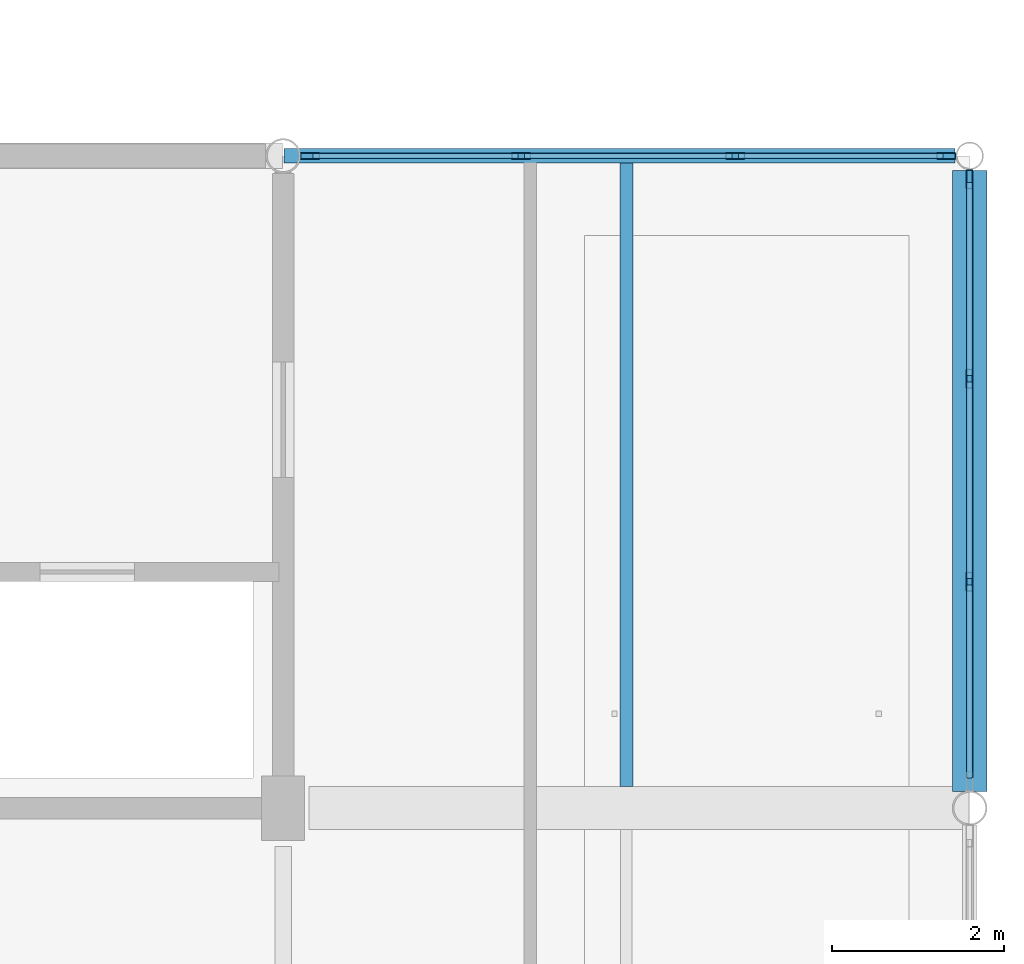
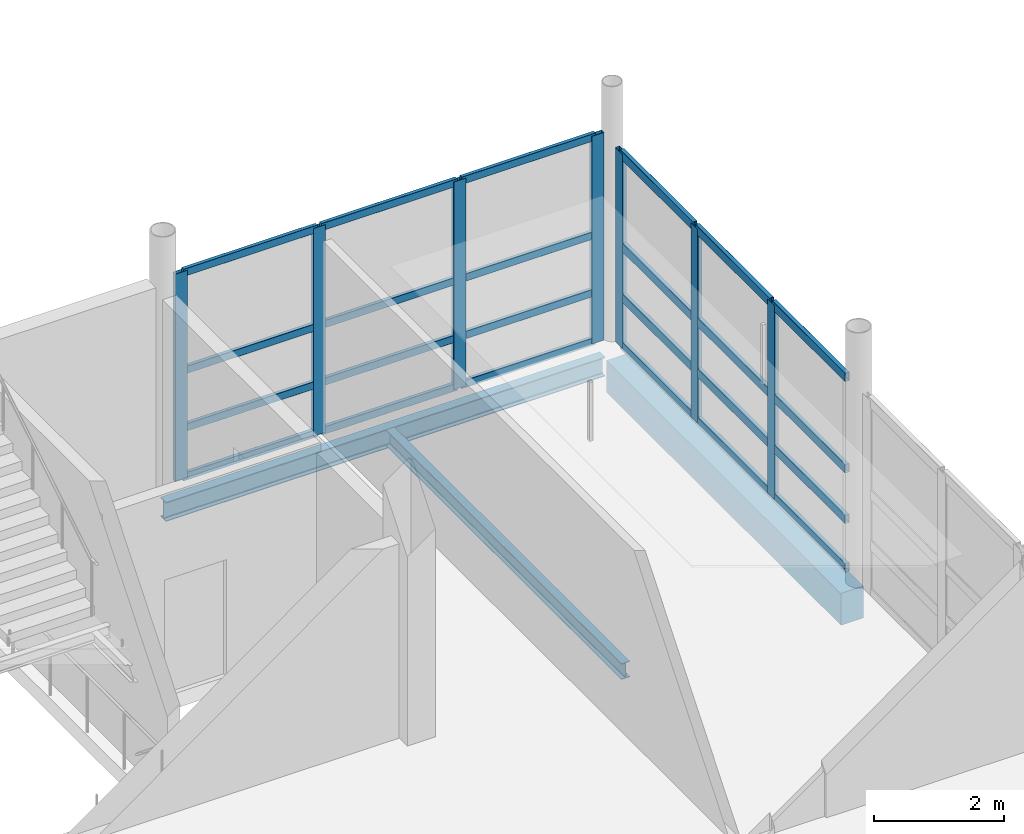
# One storey, part 58 of 141: 31 members, 3 beams, 2 elements without a shape of their own.
"""IFC4 building model written with IfcOpenShell, lengths in metres."""

from ifc_helpers import new_model, si_unit, direction, frame, origin, origin_2d, place, context, subcontext, project, spatial, rectangle, hollow_rectangle, i_section, extrude, material, material_profile, profile_set, type_object, element, aggregate, save


model = new_model("IFC4")

# Units and contexts
model_context = context("Model", 3, precision=1e-05, world=origin(), true_north=direction((0.0, 1.0)))
body_context = subcontext(model_context, "Body", "Model", "MODEL_VIEW")
ifc_project = project(units=[si_unit("LENGTHUNIT", "METRE"), si_unit("AREAUNIT", "SQUARE_METRE"), si_unit("VOLUMEUNIT", "CUBIC_METRE"), si_unit("PLANEANGLEUNIT", "RADIAN"), si_unit("MASSUNIT", "GRAM", prefix="KILO")], contexts=[model_context])

# Site, building, storey
site_placement = place(None, origin())
site = spatial("IfcSite", under=ifc_project, at=site_placement, CompositionType="ELEMENT")
building_placement = place(site_placement, origin())
building = spatial("IfcBuilding", under=site, at=building_placement, Name="Khelvaren Railside Concert Hall", CompositionType="ELEMENT")
storey_placement = place(building_placement, frame((0.0, 0.0, 10.199951171875)))
storey = spatial("IfcBuildingStorey", under=building, at=storey_placement, Name="L02", CompositionType="ELEMENT", Elevation=10.199951171875)

# Curtain wall, members
ifc_material_1 = material(Name="Double-glazed clear foyer glass", Category="glass")
curtain_wall_type_1 = type_object("IfcCurtainWallType", Name="CW70", PredefinedType="USERDEFINED", material=ifc_material_1)
curtain_wall_1_placement = place(storey_placement, origin())
curtain_wall_1 = element("IfcCurtainWall", 1, at=curtain_wall_1_placement, inside=storey, type_object=curtain_wall_type_1, Name="Unitised Curtain Wall CW-V2-L02-N-176", ObjectType="UNITISED CURTAIN WALL", PredefinedType="USERDEFINED")
ifc_material_2 = material(Name="Anodised architectural aluminium 6063-T6", Category="aluminium")
ifc_material_profile_1 = material_profile(ifc_material_2, hollow_rectangle(XDim=0.074951171875, YDim=0.219970703125, WallThickness=0.0048828125, InnerFilletRadius=0.0029296875, OuterFilletRadius=0.0048828125, at=origin_2d()), Name="CWM 75x220x5")
ifc_profile_set_1 = profile_set([ifc_material_profile_1], Name="Anodised architectural aluminium 6063-T6")
member_type_1 = type_object("IfcMemberType", Name="CWM13", PredefinedType="MULLION", material=ifc_profile_set_1)
member_1_placement = place(storey_placement, frame((176.313232421875, 38.0, 0.0), z_axis=(0.0, 0.0, 1.0), x_axis=(0.0, 1.0, 0.0)))
member_1 = element("IfcMember", 2, at=member_1_placement, type_object=member_type_1, Name="CW70 mullion 1", PredefinedType="MULLION", context=body_context, shape_type="SweptSolid", body=[
    extrude(hollow_rectangle(XDim=0.074951171875, YDim=0.219970703125, WallThickness=0.0048828125, InnerFilletRadius=0.0029296875, OuterFilletRadius=0.0048828125, at=origin_2d()), origin(), (0.0, 0.0, 1.0), 3.91015625),
])
member_2_placement = place(storey_placement, frame((178.772216796875, 38.0, 0.0), z_axis=(0.0, 0.0, 1.0), x_axis=(0.0, 1.0, 0.0)))
member_2 = element("IfcMember", 3, at=member_2_placement, type_object=member_type_1, Name="CW70 mullion 2", PredefinedType="MULLION", context=body_context, shape_type="SweptSolid", body=[
    extrude(hollow_rectangle(XDim=0.074951171875, YDim=0.219970703125, WallThickness=0.0048828125, InnerFilletRadius=0.0029296875, OuterFilletRadius=0.0048828125, at=origin_2d()), origin(), (0.0, 0.0, 1.0), 3.91015625),
])
member_3_placement = place(storey_placement, frame((181.268798828125, 38.0, 0.0), z_axis=(0.0, 0.0, 1.0), x_axis=(0.0, 1.0, 0.0)))
member_3 = element("IfcMember", 4, at=member_3_placement, type_object=member_type_1, Name="CW70 mullion 3", PredefinedType="MULLION", context=body_context, shape_type="SweptSolid", body=[
    extrude(hollow_rectangle(XDim=0.074951171875, YDim=0.219970703125, WallThickness=0.0048828125, InnerFilletRadius=0.0029296875, OuterFilletRadius=0.0048828125, at=origin_2d()), origin(), (0.0, 0.0, 1.0), 3.91015625),
])
member_4_placement = place(storey_placement, frame((183.72802734375, 38.0, 0.0), z_axis=(0.0, 0.0, 1.0), x_axis=(0.0, 1.0, 0.0)))
member_4 = element("IfcMember", 5, at=member_4_placement, type_object=member_type_1, Name="CW70 mullion 4", PredefinedType="MULLION", context=body_context, shape_type="SweptSolid", body=[
    extrude(hollow_rectangle(XDim=0.074951171875, YDim=0.219970703125, WallThickness=0.0048828125, InnerFilletRadius=0.0029296875, OuterFilletRadius=0.0048828125, at=origin_2d()), origin(), (0.0, 0.0, 1.0), 3.91015625),
])

ifc_material_3 = material(Name="Triple-glazed solar-control glass", Category="glass")
curtain_wall_type_2 = type_object("IfcCurtainWallType", Name="CW88", PredefinedType="USERDEFINED", material=ifc_material_3)
curtain_wall_2_placement = place(storey_placement, origin())
curtain_wall_2 = element("IfcCurtainWall", 6, at=curtain_wall_2_placement, inside=storey, type_object=curtain_wall_type_2, Name="Unitised Curtain Wall CW-V2-L02-E-30", ObjectType="UNITISED CURTAIN WALL", PredefinedType="USERDEFINED")
member_5_placement = place(storey_placement, frame((184.0, 37.72802734375, 0.0), z_axis=(0.0, 0.0, 1.0), x_axis=(1.0, 0.0, 0.0)))
member_5 = element("IfcMember", 7, at=member_5_placement, type_object=member_type_1, Name="CW88 mullion 1", PredefinedType="MULLION", context=body_context, shape_type="SweptSolid", body=[
    extrude(hollow_rectangle(XDim=0.074951171875, YDim=0.219970703125, WallThickness=0.0048828125, InnerFilletRadius=0.0029296875, OuterFilletRadius=0.0048828125, at=origin_2d()), origin(), (0.0, 0.0, 1.0), 3.66015625),
])
member_6_placement = place(storey_placement, frame((184.0, 35.40234375, 0.0), z_axis=(0.0, 0.0, 1.0), x_axis=(1.0, 0.0, 0.0)))
member_6 = element("IfcMember", 8, at=member_6_placement, type_object=member_type_1, Name="CW88 mullion 2", PredefinedType="MULLION", context=body_context, shape_type="SweptSolid", body=[
    extrude(hollow_rectangle(XDim=0.074951171875, YDim=0.219970703125, WallThickness=0.0048828125, InnerFilletRadius=0.0029296875, OuterFilletRadius=0.0048828125, at=origin_2d()), origin(), (0.0, 0.0, 1.0), 3.66015625),
])
member_7_placement = place(storey_placement, frame((184.0, 33.0390625, 0.0), z_axis=(0.0, 0.0, 1.0), x_axis=(1.0, 0.0, 0.0)))
member_7 = element("IfcMember", 9, at=member_7_placement, type_object=member_type_1, Name="CW88 mullion 3", PredefinedType="MULLION", context=body_context, shape_type="SweptSolid", body=[
    extrude(hollow_rectangle(XDim=0.074951171875, YDim=0.219970703125, WallThickness=0.0048828125, InnerFilletRadius=0.0029296875, OuterFilletRadius=0.0048828125, at=origin_2d()), origin(), (0.0, 0.0, 1.0), 3.66015625),
])
ifc_material_profile_2 = material_profile(ifc_material_2, hollow_rectangle(XDim=0.074951171875, YDim=0.1650390625, WallThickness=0.00390625, InnerFilletRadius=0.001953125, OuterFilletRadius=0.00390625, at=origin_2d()), Name="CWT 75x165x4")
ifc_profile_set_2 = profile_set([ifc_material_profile_2], Name="Anodised architectural aluminium 6063-T6")
member_type_2 = type_object("IfcMemberType", Name="CWT46", PredefinedType="USERDEFINED", material=ifc_profile_set_2)
member_8_placement = place(storey_placement, frame((184.0, 37.6904296875, 0.03759765625), z_axis=(0.0, -1.0, 0.0), x_axis=(1.0, 0.0, 0.0)))
member_8 = element("IfcMember", 10, at=member_8_placement, type_object=member_type_2, Name="CW88 transom 1.1", ObjectType="TRANSOM", PredefinedType="USERDEFINED", context=body_context, shape_type="SweptSolid", body=[
    extrude(hollow_rectangle(XDim=0.074951171875, YDim=0.1650390625, WallThickness=0.00390625, InnerFilletRadius=0.001953125, OuterFilletRadius=0.00390625, at=origin_2d()), origin(), (0.0, 0.0, 1.0), 2.250732421875),
])
member_9_placement = place(storey_placement, frame((184.0, 37.6904296875, 0.949951171875), z_axis=(0.0, -1.0, 0.0), x_axis=(1.0, 0.0, 0.0)))
member_9 = element("IfcMember", 11, at=member_9_placement, type_object=member_type_2, Name="CW88 transom 1.2", ObjectType="TRANSOM", PredefinedType="USERDEFINED", context=body_context, shape_type="SweptSolid", body=[
    extrude(hollow_rectangle(XDim=0.074951171875, YDim=0.1650390625, WallThickness=0.00390625, InnerFilletRadius=0.001953125, OuterFilletRadius=0.00390625, at=origin_2d()), origin(), (0.0, 0.0, 1.0), 2.250732421875),
])
member_10_placement = place(storey_placement, frame((184.0, 37.6904296875, 1.9033203125), z_axis=(0.0, -1.0, 0.0), x_axis=(1.0, 0.0, 0.0)))
member_10 = element("IfcMember", 12, at=member_10_placement, type_object=member_type_2, Name="CW88 transom 1.3", ObjectType="TRANSOM", PredefinedType="USERDEFINED", context=body_context, shape_type="SweptSolid", body=[
    extrude(hollow_rectangle(XDim=0.074951171875, YDim=0.1650390625, WallThickness=0.00390625, InnerFilletRadius=0.001953125, OuterFilletRadius=0.00390625, at=origin_2d()), origin(), (0.0, 0.0, 1.0), 2.250732421875),
])
member_11_placement = place(storey_placement, frame((184.0, 37.6904296875, 3.62255859375), z_axis=(0.0, -1.0, 0.0), x_axis=(1.0, 0.0, 0.0)))
member_11 = element("IfcMember", 13, at=member_11_placement, type_object=member_type_2, Name="CW88 transom 1.4", ObjectType="TRANSOM", PredefinedType="USERDEFINED", context=body_context, shape_type="SweptSolid", body=[
    extrude(hollow_rectangle(XDim=0.074951171875, YDim=0.1650390625, WallThickness=0.00390625, InnerFilletRadius=0.001953125, OuterFilletRadius=0.00390625, at=origin_2d()), origin(), (0.0, 0.0, 1.0), 2.250732421875),
])
member_12_placement = place(storey_placement, frame((184.0, 35.36474609375, 0.03759765625), z_axis=(0.0, -1.0, 0.0), x_axis=(1.0, 0.0, 0.0)))
member_12 = element("IfcMember", 14, at=member_12_placement, type_object=member_type_2, Name="CW88 transom 2.1", ObjectType="TRANSOM", PredefinedType="USERDEFINED", context=body_context, shape_type="SweptSolid", body=[
    extrude(hollow_rectangle(XDim=0.074951171875, YDim=0.1650390625, WallThickness=0.00390625, InnerFilletRadius=0.001953125, OuterFilletRadius=0.00390625, at=origin_2d()), origin(), (0.0, 0.0, 1.0), 2.288330078125),
])
member_13_placement = place(storey_placement, frame((184.0, 35.36474609375, 0.949951171875), z_axis=(0.0, -1.0, 0.0), x_axis=(1.0, 0.0, 0.0)))
member_13 = element("IfcMember", 15, at=member_13_placement, type_object=member_type_2, Name="CW88 transom 2.2", ObjectType="TRANSOM", PredefinedType="USERDEFINED", context=body_context, shape_type="SweptSolid", body=[
    extrude(hollow_rectangle(XDim=0.074951171875, YDim=0.1650390625, WallThickness=0.00390625, InnerFilletRadius=0.001953125, OuterFilletRadius=0.00390625, at=origin_2d()), origin(), (0.0, 0.0, 1.0), 2.288330078125),
])
member_14_placement = place(storey_placement, frame((184.0, 35.36474609375, 1.9033203125), z_axis=(0.0, -1.0, 0.0), x_axis=(1.0, 0.0, 0.0)))
member_14 = element("IfcMember", 16, at=member_14_placement, type_object=member_type_2, Name="CW88 transom 2.3", ObjectType="TRANSOM", PredefinedType="USERDEFINED", context=body_context, shape_type="SweptSolid", body=[
    extrude(hollow_rectangle(XDim=0.074951171875, YDim=0.1650390625, WallThickness=0.00390625, InnerFilletRadius=0.001953125, OuterFilletRadius=0.00390625, at=origin_2d()), origin(), (0.0, 0.0, 1.0), 2.288330078125),
])
member_15_placement = place(storey_placement, frame((184.0, 35.36474609375, 3.62255859375), z_axis=(0.0, -1.0, 0.0), x_axis=(1.0, 0.0, 0.0)))
member_15 = element("IfcMember", 17, at=member_15_placement, type_object=member_type_2, Name="CW88 transom 2.4", ObjectType="TRANSOM", PredefinedType="USERDEFINED", context=body_context, shape_type="SweptSolid", body=[
    extrude(hollow_rectangle(XDim=0.074951171875, YDim=0.1650390625, WallThickness=0.00390625, InnerFilletRadius=0.001953125, OuterFilletRadius=0.00390625, at=origin_2d()), origin(), (0.0, 0.0, 1.0), 2.288330078125),
])
member_16_placement = place(storey_placement, frame((184.0, 33.00146484375, 0.03759765625), z_axis=(0.0, -1.0, 0.0), x_axis=(1.0, 0.0, 0.0)))
member_16 = element("IfcMember", 18, at=member_16_placement, type_object=member_type_2, Name="CW88 transom 3.1", ObjectType="TRANSOM", PredefinedType="USERDEFINED", context=body_context, shape_type="SweptSolid", body=[
    extrude(hollow_rectangle(XDim=0.074951171875, YDim=0.1650390625, WallThickness=0.00390625, InnerFilletRadius=0.001953125, OuterFilletRadius=0.00390625, at=origin_2d()), origin(), (0.0, 0.0, 1.0), 2.250732421875),
])
member_17_placement = place(storey_placement, frame((184.0, 33.00146484375, 0.949951171875), z_axis=(0.0, -1.0, 0.0), x_axis=(1.0, 0.0, 0.0)))
member_17 = element("IfcMember", 19, at=member_17_placement, type_object=member_type_2, Name="CW88 transom 3.2", ObjectType="TRANSOM", PredefinedType="USERDEFINED", context=body_context, shape_type="SweptSolid", body=[
    extrude(hollow_rectangle(XDim=0.074951171875, YDim=0.1650390625, WallThickness=0.00390625, InnerFilletRadius=0.001953125, OuterFilletRadius=0.00390625, at=origin_2d()), origin(), (0.0, 0.0, 1.0), 2.250732421875),
])
member_18_placement = place(storey_placement, frame((184.0, 33.00146484375, 1.9033203125), z_axis=(0.0, -1.0, 0.0), x_axis=(1.0, 0.0, 0.0)))
member_18 = element("IfcMember", 20, at=member_18_placement, type_object=member_type_2, Name="CW88 transom 3.3", ObjectType="TRANSOM", PredefinedType="USERDEFINED", context=body_context, shape_type="SweptSolid", body=[
    extrude(hollow_rectangle(XDim=0.074951171875, YDim=0.1650390625, WallThickness=0.00390625, InnerFilletRadius=0.001953125, OuterFilletRadius=0.00390625, at=origin_2d()), origin(), (0.0, 0.0, 1.0), 2.250732421875),
])
member_19_placement = place(storey_placement, frame((184.0, 33.00146484375, 3.62255859375), z_axis=(0.0, -1.0, 0.0), x_axis=(1.0, 0.0, 0.0)))
member_19 = element("IfcMember", 21, at=member_19_placement, type_object=member_type_2, Name="CW88 transom 3.4", ObjectType="TRANSOM", PredefinedType="USERDEFINED", context=body_context, shape_type="SweptSolid", body=[
    extrude(hollow_rectangle(XDim=0.074951171875, YDim=0.1650390625, WallThickness=0.00390625, InnerFilletRadius=0.001953125, OuterFilletRadius=0.00390625, at=origin_2d()), origin(), (0.0, 0.0, 1.0), 2.250732421875),
])
aggregate(curtain_wall_2, [member_5, member_6, member_7, member_8, member_9, member_10, member_11, member_12, member_13, member_14, member_15, member_16, member_17, member_18, member_19])

# Member
ifc_material_profile_3 = material_profile(ifc_material_2, hollow_rectangle(XDim=0.06494140625, YDim=0.139892578125, WallThickness=0.00390625, InnerFilletRadius=0.001953125, OuterFilletRadius=0.00390625, at=origin_2d()), Name="CWT 65x140x4")
ifc_profile_set_3 = profile_set([ifc_material_profile_3], Name="Anodised architectural aluminium 6063-T6")
member_type_3 = type_object("IfcMemberType", Name="CWT72", PredefinedType="USERDEFINED", material=ifc_profile_set_3)
member_20_placement = place(storey_placement, frame((176.3505859375, 38.0, 0.032470703125), z_axis=(1.0, 0.0, 0.0), x_axis=(0.0, 1.0, 0.0)))
member_20 = element("IfcMember", 22, at=member_20_placement, type_object=member_type_3, Name="CW70 transom 1.1", ObjectType="TRANSOM", PredefinedType="USERDEFINED", context=body_context, shape_type="SweptSolid", body=[
    extrude(hollow_rectangle(XDim=0.06494140625, YDim=0.139892578125, WallThickness=0.00390625, InnerFilletRadius=0.001953125, OuterFilletRadius=0.00390625, at=origin_2d()), origin(), (0.0, 0.0, 1.0), 2.38427734375),
])

member_21_placement = place(storey_placement, frame((176.3505859375, 38.0, 0.949951171875), z_axis=(1.0, 0.0, 0.0), x_axis=(0.0, 1.0, 0.0)))
member_21 = element("IfcMember", 23, at=member_21_placement, type_object=member_type_3, Name="CW70 transom 1.2", ObjectType="TRANSOM", PredefinedType="USERDEFINED", context=body_context, shape_type="SweptSolid", body=[
    extrude(hollow_rectangle(XDim=0.06494140625, YDim=0.139892578125, WallThickness=0.00390625, InnerFilletRadius=0.001953125, OuterFilletRadius=0.00390625, at=origin_2d()), origin(), (0.0, 0.0, 1.0), 2.38427734375),
])

member_22_placement = place(storey_placement, frame((176.3505859375, 38.0, 2.033203125), z_axis=(1.0, 0.0, 0.0), x_axis=(0.0, 1.0, 0.0)))
member_22 = element("IfcMember", 24, at=member_22_placement, type_object=member_type_3, Name="CW70 transom 1.3", ObjectType="TRANSOM", PredefinedType="USERDEFINED", context=body_context, shape_type="SweptSolid", body=[
    extrude(hollow_rectangle(XDim=0.06494140625, YDim=0.139892578125, WallThickness=0.00390625, InnerFilletRadius=0.001953125, OuterFilletRadius=0.00390625, at=origin_2d()), origin(), (0.0, 0.0, 1.0), 2.38427734375),
])

member_23_placement = place(storey_placement, frame((176.3505859375, 38.0, 3.87744140625), z_axis=(1.0, 0.0, 0.0), x_axis=(0.0, 1.0, 0.0)))
member_23 = element("IfcMember", 25, at=member_23_placement, type_object=member_type_3, Name="CW70 transom 1.4", ObjectType="TRANSOM", PredefinedType="USERDEFINED", context=body_context, shape_type="SweptSolid", body=[
    extrude(hollow_rectangle(XDim=0.06494140625, YDim=0.139892578125, WallThickness=0.00390625, InnerFilletRadius=0.001953125, OuterFilletRadius=0.00390625, at=origin_2d()), origin(), (0.0, 0.0, 1.0), 2.38427734375),
])

member_24_placement = place(storey_placement, frame((178.809814453125, 38.0, 0.032470703125), z_axis=(1.0, 0.0, 0.0), x_axis=(0.0, 1.0, 0.0)))
member_24 = element("IfcMember", 26, at=member_24_placement, type_object=member_type_3, Name="CW70 transom 2.1", ObjectType="TRANSOM", PredefinedType="USERDEFINED", context=body_context, shape_type="SweptSolid", body=[
    extrude(hollow_rectangle(XDim=0.06494140625, YDim=0.139892578125, WallThickness=0.00390625, InnerFilletRadius=0.001953125, OuterFilletRadius=0.00390625, at=origin_2d()), origin(), (0.0, 0.0, 1.0), 2.421630859375),
])

member_25_placement = place(storey_placement, frame((178.809814453125, 38.0, 0.949951171875), z_axis=(1.0, 0.0, 0.0), x_axis=(0.0, 1.0, 0.0)))
member_25 = element("IfcMember", 27, at=member_25_placement, type_object=member_type_3, Name="CW70 transom 2.2", ObjectType="TRANSOM", PredefinedType="USERDEFINED", context=body_context, shape_type="SweptSolid", body=[
    extrude(hollow_rectangle(XDim=0.06494140625, YDim=0.139892578125, WallThickness=0.00390625, InnerFilletRadius=0.001953125, OuterFilletRadius=0.00390625, at=origin_2d()), origin(), (0.0, 0.0, 1.0), 2.421630859375),
])

member_26_placement = place(storey_placement, frame((178.809814453125, 38.0, 2.033203125), z_axis=(1.0, 0.0, 0.0), x_axis=(0.0, 1.0, 0.0)))
member_26 = element("IfcMember", 28, at=member_26_placement, type_object=member_type_3, Name="CW70 transom 2.3", ObjectType="TRANSOM", PredefinedType="USERDEFINED", context=body_context, shape_type="SweptSolid", body=[
    extrude(hollow_rectangle(XDim=0.06494140625, YDim=0.139892578125, WallThickness=0.00390625, InnerFilletRadius=0.001953125, OuterFilletRadius=0.00390625, at=origin_2d()), origin(), (0.0, 0.0, 1.0), 2.421630859375),
])

member_27_placement = place(storey_placement, frame((178.809814453125, 38.0, 3.87744140625), z_axis=(1.0, 0.0, 0.0), x_axis=(0.0, 1.0, 0.0)))
member_27 = element("IfcMember", 29, at=member_27_placement, type_object=member_type_3, Name="CW70 transom 2.4", ObjectType="TRANSOM", PredefinedType="USERDEFINED", context=body_context, shape_type="SweptSolid", body=[
    extrude(hollow_rectangle(XDim=0.06494140625, YDim=0.139892578125, WallThickness=0.00390625, InnerFilletRadius=0.001953125, OuterFilletRadius=0.00390625, at=origin_2d()), origin(), (0.0, 0.0, 1.0), 2.421630859375),
])

member_28_placement = place(storey_placement, frame((181.306396484375, 38.0, 0.032470703125), z_axis=(1.0, 0.0, 0.0), x_axis=(0.0, 1.0, 0.0)))
member_28 = element("IfcMember", 30, at=member_28_placement, type_object=member_type_3, Name="CW70 transom 3.1", ObjectType="TRANSOM", PredefinedType="USERDEFINED", context=body_context, shape_type="SweptSolid", body=[
    extrude(hollow_rectangle(XDim=0.06494140625, YDim=0.139892578125, WallThickness=0.00390625, InnerFilletRadius=0.001953125, OuterFilletRadius=0.00390625, at=origin_2d()), origin(), (0.0, 0.0, 1.0), 2.384033203125),
])

member_29_placement = place(storey_placement, frame((181.306396484375, 38.0, 0.949951171875), z_axis=(1.0, 0.0, 0.0), x_axis=(0.0, 1.0, 0.0)))
member_29 = element("IfcMember", 31, at=member_29_placement, type_object=member_type_3, Name="CW70 transom 3.2", ObjectType="TRANSOM", PredefinedType="USERDEFINED", context=body_context, shape_type="SweptSolid", body=[
    extrude(hollow_rectangle(XDim=0.06494140625, YDim=0.139892578125, WallThickness=0.00390625, InnerFilletRadius=0.001953125, OuterFilletRadius=0.00390625, at=origin_2d()), origin(), (0.0, 0.0, 1.0), 2.384033203125),
])

member_30_placement = place(storey_placement, frame((181.306396484375, 38.0, 2.033203125), z_axis=(1.0, 0.0, 0.0), x_axis=(0.0, 1.0, 0.0)))
member_30 = element("IfcMember", 32, at=member_30_placement, type_object=member_type_3, Name="CW70 transom 3.3", ObjectType="TRANSOM", PredefinedType="USERDEFINED", context=body_context, shape_type="SweptSolid", body=[
    extrude(hollow_rectangle(XDim=0.06494140625, YDim=0.139892578125, WallThickness=0.00390625, InnerFilletRadius=0.001953125, OuterFilletRadius=0.00390625, at=origin_2d()), origin(), (0.0, 0.0, 1.0), 2.384033203125),
])

member_31_placement = place(storey_placement, frame((181.306396484375, 38.0, 3.87744140625), z_axis=(1.0, 0.0, 0.0), x_axis=(0.0, 1.0, 0.0)))
member_31 = element("IfcMember", 33, at=member_31_placement, type_object=member_type_3, Name="CW70 transom 3.4", ObjectType="TRANSOM", PredefinedType="USERDEFINED", context=body_context, shape_type="SweptSolid", body=[
    extrude(hollow_rectangle(XDim=0.06494140625, YDim=0.139892578125, WallThickness=0.00390625, InnerFilletRadius=0.001953125, OuterFilletRadius=0.00390625, at=origin_2d()), origin(), (0.0, 0.0, 1.0), 2.384033203125),
])

aggregate(curtain_wall_1, [member_1, member_2, member_3, member_4, member_20, member_21, member_22, member_23, member_24, member_25, member_26, member_27, member_28, member_29, member_30, member_31])

# Beams
ifc_material_4 = material(Name="Steel S355", Category="steel")
ifc_material_profile_4 = material_profile(ifc_material_4, i_section(OverallWidth=0.14990234375, OverallDepth=0.300048828125, WebThickness=0.007080078125, FlangeThickness=0.0107421875, FilletRadius=0.014892578125, at=origin_2d()), Name="IPE 300")
ifc_profile_set_4 = profile_set([ifc_material_profile_4], Name="Steel S355")
beam_type_1 = type_object("IfcBeamType", Name="JS26", PredefinedType="JOIST", material=ifc_profile_set_4)
beam_1_placement = place(storey_placement, frame((180.0, 30.64990234375, -0.43994140625), z_axis=(0.0, 1.0, 0.0), x_axis=(-1.0, 0.0, 0.0)))
element("IfcBeam", 34, at=beam_1_placement, inside=storey, type_object=beam_type_1, Name="V2 L02 Secondary Joist 5.5", PredefinedType="JOIST", context=body_context, shape_type="SweptSolid", body=[
    extrude(i_section(OverallWidth=0.14990234375, OverallDepth=0.300048828125, WebThickness=0.007080078125, FlangeThickness=0.0107421875, FilletRadius=0.014892578125, at=origin_2d()), origin(), (0.0, 0.0, 1.0), 7.26513671875),
])
ifc_material_profile_5 = material_profile(ifc_material_4, i_section(OverallWidth=0.169921875, OverallDepth=0.360107421875, WebThickness=0.008056640625, FlangeThickness=0.0126953125, FilletRadius=0.01806640625, at=origin_2d()), Name="IPE 360")
ifc_profile_set_5 = profile_set([ifc_material_profile_5], Name="Steel S355")
beam_type_2 = type_object("IfcBeamType", Name="SP74", PredefinedType="SPANDREL", material=ifc_profile_set_5)
beam_2_placement = place(storey_placement, frame((176.010009765625, 38.0, -0.469970703125), z_axis=(1.0, 0.0, 0.0), x_axis=(0.0, 1.0, 0.0)))
element("IfcBeam", 35, at=beam_2_placement, inside=storey, type_object=beam_type_2, Name="V2 L02 Spandrel X6.5", PredefinedType="SPANDREL", context=body_context, shape_type="SweptSolid", body=[
    extrude(i_section(OverallWidth=0.169921875, OverallDepth=0.360107421875, WebThickness=0.008056640625, FlangeThickness=0.0126953125, FilletRadius=0.01806640625, at=origin_2d()), origin(), (0.0, 0.0, 1.0), 7.8193359375),
])
ifc_material_5 = material(Name="Concrete C40/50", Category="concrete")
ifc_material_profile_6 = material_profile(ifc_material_5, rectangle(XDim=0.39990234375, YDim=0.60009765625, at=origin_2d()), Name="RCB 400x600")
ifc_profile_set_6 = profile_set([ifc_material_profile_6], Name="Concrete C40/50")
beam_type_3 = type_object("IfcBeamType", Name="SP75", PredefinedType="SPANDREL", material=ifc_profile_set_6)
beam_3_placement = place(storey_placement, frame((184.0, 30.594970703125, -0.58984375), z_axis=(0.0, 1.0, 0.0), x_axis=(-1.0, 0.0, 0.0)))
element("IfcBeam", 36, at=beam_3_placement, inside=storey, type_object=beam_type_3, Name="V2 L02 Spandrel Y6.5", PredefinedType="SPANDREL", context=body_context, shape_type="SweptSolid", body=[
    extrude(rectangle(XDim=0.39990234375, YDim=0.60009765625, at=origin_2d()), origin(), (0.0, 0.0, 1.0), 7.234375),
])

save(model, "model.ifc")
